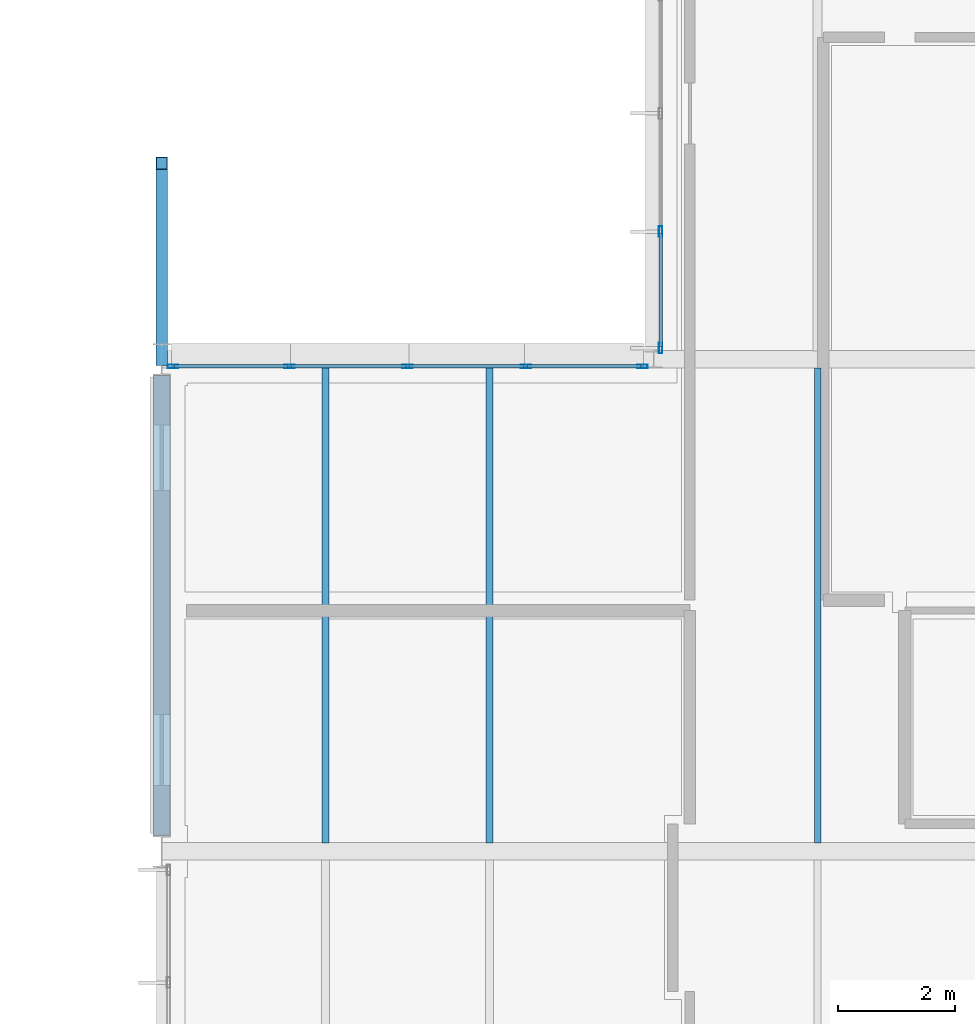
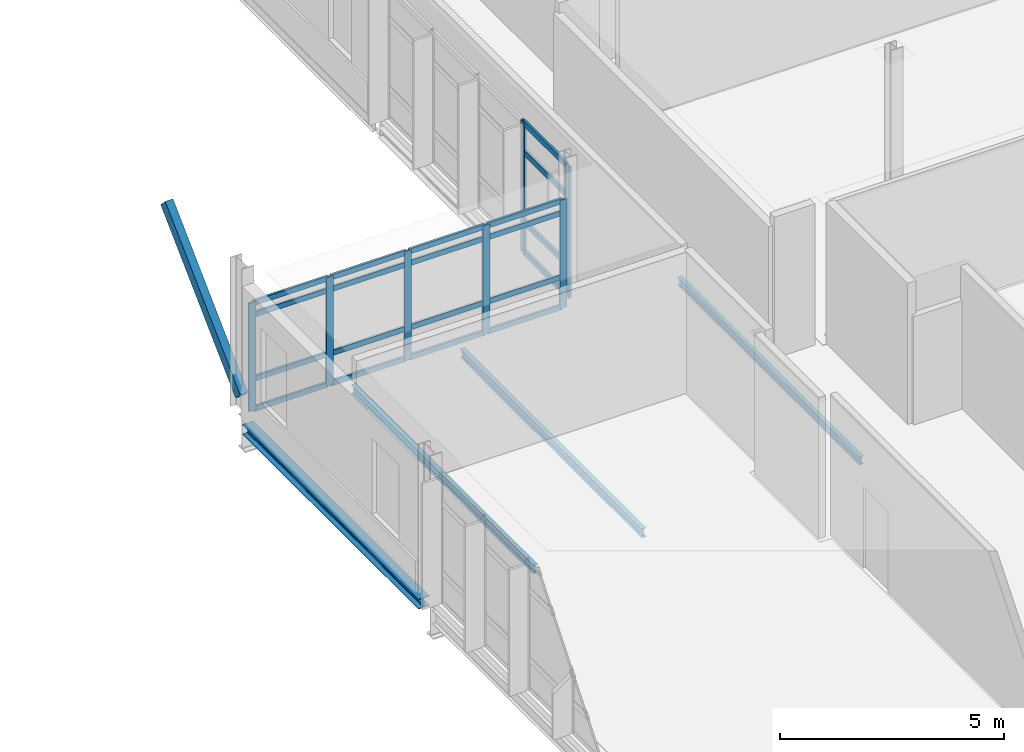
# One storey, part 31 of 103: 28 members, 4 beams, 2 elements without a shape of their own.
"""IFC4 building model written with IfcOpenShell, lengths in metres."""

from ifc_helpers import new_model, si_unit, direction, frame, origin, origin_2d, place, context, subcontext, project, spatial, hollow_rectangle, i_section, extrude, material, material_profile, profile_set, type_object, element, aggregate, save


model = new_model("IFC4")

# Units and contexts
model_context = context("Model", 3, precision=1e-05, world=origin(), true_north=direction((0.0, 1.0)))
body_context = subcontext(model_context, "Body", "Model", "MODEL_VIEW")
ifc_project = project(units=[si_unit("LENGTHUNIT", "METRE"), si_unit("AREAUNIT", "SQUARE_METRE"), si_unit("VOLUMEUNIT", "CUBIC_METRE"), si_unit("PLANEANGLEUNIT", "RADIAN"), si_unit("MASSUNIT", "GRAM", prefix="KILO")], contexts=[model_context])

# Site, building, storey
site_placement = place(None, origin())
site = spatial("IfcSite", under=ifc_project, at=site_placement, CompositionType="ELEMENT")
building_placement = place(site_placement, origin())
building = spatial("IfcBuilding", under=site, at=building_placement, Name="Mersafa Astral City Hall", CompositionType="ELEMENT")
storey_placement = place(building_placement, frame((0.0, 0.0, 18.0)))
storey = spatial("IfcBuildingStorey", under=building, at=storey_placement, Name="L04", CompositionType="ELEMENT", Elevation=18.0)

# Curtain wall, members
ifc_material_1 = material(Name="Anodised bronze aluminium framing", Category="aluminium")
curtain_wall_type_1 = type_object("IfcCurtainWallType", Name="ENV-CW-5", PredefinedType="USERDEFINED", material=ifc_material_1)
curtain_wall_1_placement = place(storey_placement, origin())
curtain_wall_1 = element("IfcCurtainWall", 1, at=curtain_wall_1_placement, inside=storey, type_object=curtain_wall_type_1, Name="L04 Unitised solar curtain wall 208", ObjectType="UNITISED CURTAIN WALL", PredefinedType="USERDEFINED")
ifc_material_profile_1 = material_profile(ifc_material_1, hollow_rectangle(XDim=0.06005859375, YDim=0.179931640625, WallThickness=0.00390625, at=origin_2d()), Name="RHS 60x180x4")
ifc_profile_set_1 = profile_set([ifc_material_profile_1], Name="Anodised bronze aluminium framing")
member_type_1 = type_object("IfcMemberType", Name="ENV-CW-MUL-1", PredefinedType="MULLION", material=ifc_profile_set_1)
member_1_placement = place(storey_placement, frame((100.919921875, 94.5810546875, -0.001953125), z_axis=(0.0, 0.0, 1.0), x_axis=(1.0, 0.0, 0.0)))
member_1 = element("IfcMember", 2, at=member_1_placement, type_object=member_type_1, Name="CW-5 mullion 4", PredefinedType="MULLION", context=body_context, shape_type="SweptSolid", body=[
    extrude(hollow_rectangle(XDim=0.06005859375, YDim=0.179931640625, WallThickness=0.00390625, at=origin_2d()), origin(), (0.0, 0.0, 1.0), 3.578857421875),
])
member_2_placement = place(storey_placement, frame((100.919921875, 92.592041015625, -0.001953125), z_axis=(0.0, 0.0, 1.0), x_axis=(1.0, 0.0, 0.0)))
member_2 = element("IfcMember", 3, at=member_2_placement, type_object=member_type_1, Name="CW-5 mullion 5", PredefinedType="MULLION", context=body_context, shape_type="SweptSolid", body=[
    extrude(hollow_rectangle(XDim=0.06005859375, YDim=0.179931640625, WallThickness=0.00390625, at=origin_2d()), origin(), (0.0, 0.0, 1.0), 3.578857421875),
])

curtain_wall_type_2 = type_object("IfcCurtainWallType", Name="ENV-CW-6", PredefinedType="USERDEFINED", material=ifc_material_1)
curtain_wall_2_placement = place(storey_placement, origin())
curtain_wall_2 = element("IfcCurtainWall", 4, at=curtain_wall_2_placement, inside=storey, type_object=curtain_wall_type_2, Name="L04 Unitised solar curtain wall 209", ObjectType="UNITISED CURTAIN WALL", PredefinedType="USERDEFINED")
member_3_placement = place(storey_placement, frame((100.60791015625, 92.280029296875, -0.001953125), z_axis=(0.0, 0.0, 1.0), x_axis=(0.0, -1.0, 0.0)))
member_3 = element("IfcMember", 5, at=member_3_placement, type_object=member_type_1, Name="CW-6 mullion 1", PredefinedType="MULLION", context=body_context, shape_type="SweptSolid", body=[
    extrude(hollow_rectangle(XDim=0.06005859375, YDim=0.179931640625, WallThickness=0.00390625, at=origin_2d()), origin(), (0.0, 0.0, 1.0), 2.948974609375),
])
member_4_placement = place(storey_placement, frame((98.618896484375, 92.280029296875, -0.001953125), z_axis=(0.0, 0.0, 1.0), x_axis=(0.0, -1.0, 0.0)))
member_4 = element("IfcMember", 6, at=member_4_placement, type_object=member_type_1, Name="CW-6 mullion 2", PredefinedType="MULLION", context=body_context, shape_type="SweptSolid", body=[
    extrude(hollow_rectangle(XDim=0.06005859375, YDim=0.179931640625, WallThickness=0.00390625, at=origin_2d()), origin(), (0.0, 0.0, 1.0), 2.948974609375),
])
member_5_placement = place(storey_placement, frame((96.60009765625, 92.280029296875, -0.001953125), z_axis=(0.0, 0.0, 1.0), x_axis=(0.0, -1.0, 0.0)))
member_5 = element("IfcMember", 7, at=member_5_placement, type_object=member_type_1, Name="CW-6 mullion 3", PredefinedType="MULLION", context=body_context, shape_type="SweptSolid", body=[
    extrude(hollow_rectangle(XDim=0.06005859375, YDim=0.179931640625, WallThickness=0.00390625, at=origin_2d()), origin(), (0.0, 0.0, 1.0), 2.948974609375),
])
member_6_placement = place(storey_placement, frame((94.5810546875, 92.280029296875, -0.001953125), z_axis=(0.0, 0.0, 1.0), x_axis=(0.0, -1.0, 0.0)))
member_6 = element("IfcMember", 8, at=member_6_placement, type_object=member_type_1, Name="CW-6 mullion 4", PredefinedType="MULLION", context=body_context, shape_type="SweptSolid", body=[
    extrude(hollow_rectangle(XDim=0.06005859375, YDim=0.179931640625, WallThickness=0.00390625, at=origin_2d()), origin(), (0.0, 0.0, 1.0), 2.948974609375),
])
member_7_placement = place(storey_placement, frame((92.592041015625, 92.280029296875, -0.001953125), z_axis=(0.0, 0.0, 1.0), x_axis=(0.0, -1.0, 0.0)))
member_7 = element("IfcMember", 9, at=member_7_placement, type_object=member_type_1, Name="CW-6 mullion 5", PredefinedType="MULLION", context=body_context, shape_type="SweptSolid", body=[
    extrude(hollow_rectangle(XDim=0.06005859375, YDim=0.179931640625, WallThickness=0.00390625, at=origin_2d()), origin(), (0.0, 0.0, 1.0), 2.948974609375),
])
ifc_material_profile_2 = material_profile(ifc_material_1, hollow_rectangle(XDim=0.06005859375, YDim=0.139892578125, WallThickness=0.00390625, at=origin_2d()), Name="RHS 60x140x4")
ifc_profile_set_2 = profile_set([ifc_material_profile_2], Name="Anodised bronze aluminium framing")
member_type_2 = type_object("IfcMemberType", Name="ENV-CW-TRN-1", PredefinedType="USERDEFINED", material=ifc_profile_set_2)
member_8_placement = place(storey_placement, frame((100.577880859375, 92.280029296875, 0.028076171875), z_axis=(-1.0, 0.0, 0.0), x_axis=(0.0, -1.0, 0.0)))
member_8 = element("IfcMember", 10, at=member_8_placement, type_object=member_type_2, Name="CW-6 transom 1.1", ObjectType="TRANSOM", PredefinedType="USERDEFINED", context=body_context, shape_type="SweptSolid", body=[
    extrude(hollow_rectangle(XDim=0.06005859375, YDim=0.139892578125, WallThickness=0.00390625, at=origin_2d()), origin(), (0.0, 0.0, 1.0), 1.928955078125),
])
member_9_placement = place(storey_placement, frame((100.577880859375, 92.280029296875, 0.85009765625), z_axis=(-1.0, 0.0, 0.0), x_axis=(0.0, -1.0, 0.0)))
member_9 = element("IfcMember", 11, at=member_9_placement, type_object=member_type_2, Name="CW-6 transom 1.2", ObjectType="TRANSOM", PredefinedType="USERDEFINED", context=body_context, shape_type="SweptSolid", body=[
    extrude(hollow_rectangle(XDim=0.06005859375, YDim=0.139892578125, WallThickness=0.00390625, at=origin_2d()), origin(), (0.0, 0.0, 1.0), 1.928955078125),
])
member_10_placement = place(storey_placement, frame((100.577880859375, 92.280029296875, 2.596923828125), z_axis=(-1.0, 0.0, 0.0), x_axis=(0.0, -1.0, 0.0)))
member_10 = element("IfcMember", 12, at=member_10_placement, type_object=member_type_2, Name="CW-6 transom 1.3", ObjectType="TRANSOM", PredefinedType="USERDEFINED", context=body_context, shape_type="SweptSolid", body=[
    extrude(hollow_rectangle(XDim=0.06005859375, YDim=0.139892578125, WallThickness=0.00390625, at=origin_2d()), origin(), (0.0, 0.0, 1.0), 1.928955078125),
])
member_11_placement = place(storey_placement, frame((100.577880859375, 92.280029296875, 2.9169921875), z_axis=(-1.0, 0.0, 0.0), x_axis=(0.0, -1.0, 0.0)))
member_11 = element("IfcMember", 13, at=member_11_placement, type_object=member_type_2, Name="CW-6 transom 1.4", ObjectType="TRANSOM", PredefinedType="USERDEFINED", context=body_context, shape_type="SweptSolid", body=[
    extrude(hollow_rectangle(XDim=0.06005859375, YDim=0.139892578125, WallThickness=0.00390625, at=origin_2d()), origin(), (0.0, 0.0, 1.0), 1.928955078125),
])
member_12_placement = place(storey_placement, frame((98.589111328125, 92.280029296875, 0.028076171875), z_axis=(-1.0, 0.0, 0.0), x_axis=(0.0, -1.0, 0.0)))
member_12 = element("IfcMember", 14, at=member_12_placement, type_object=member_type_2, Name="CW-6 transom 2.1", ObjectType="TRANSOM", PredefinedType="USERDEFINED", context=body_context, shape_type="SweptSolid", body=[
    extrude(hollow_rectangle(XDim=0.06005859375, YDim=0.139892578125, WallThickness=0.00390625, at=origin_2d()), origin(), (0.0, 0.0, 1.0), 1.959228515625),
])
member_13_placement = place(storey_placement, frame((98.589111328125, 92.280029296875, 0.85009765625), z_axis=(-1.0, 0.0, 0.0), x_axis=(0.0, -1.0, 0.0)))
member_13 = element("IfcMember", 15, at=member_13_placement, type_object=member_type_2, Name="CW-6 transom 2.2", ObjectType="TRANSOM", PredefinedType="USERDEFINED", context=body_context, shape_type="SweptSolid", body=[
    extrude(hollow_rectangle(XDim=0.06005859375, YDim=0.139892578125, WallThickness=0.00390625, at=origin_2d()), origin(), (0.0, 0.0, 1.0), 1.959228515625),
])
member_14_placement = place(storey_placement, frame((98.589111328125, 92.280029296875, 2.596923828125), z_axis=(-1.0, 0.0, 0.0), x_axis=(0.0, -1.0, 0.0)))
member_14 = element("IfcMember", 16, at=member_14_placement, type_object=member_type_2, Name="CW-6 transom 2.3", ObjectType="TRANSOM", PredefinedType="USERDEFINED", context=body_context, shape_type="SweptSolid", body=[
    extrude(hollow_rectangle(XDim=0.06005859375, YDim=0.139892578125, WallThickness=0.00390625, at=origin_2d()), origin(), (0.0, 0.0, 1.0), 1.959228515625),
])
member_15_placement = place(storey_placement, frame((98.589111328125, 92.280029296875, 2.9169921875), z_axis=(-1.0, 0.0, 0.0), x_axis=(0.0, -1.0, 0.0)))
member_15 = element("IfcMember", 17, at=member_15_placement, type_object=member_type_2, Name="CW-6 transom 2.4", ObjectType="TRANSOM", PredefinedType="USERDEFINED", context=body_context, shape_type="SweptSolid", body=[
    extrude(hollow_rectangle(XDim=0.06005859375, YDim=0.139892578125, WallThickness=0.00390625, at=origin_2d()), origin(), (0.0, 0.0, 1.0), 1.959228515625),
])
member_16_placement = place(storey_placement, frame((96.570068359375, 92.280029296875, 0.028076171875), z_axis=(-1.0, 0.0, 0.0), x_axis=(0.0, -1.0, 0.0)))
member_16 = element("IfcMember", 18, at=member_16_placement, type_object=member_type_2, Name="CW-6 transom 3.1", ObjectType="TRANSOM", PredefinedType="USERDEFINED", context=body_context, shape_type="SweptSolid", body=[
    extrude(hollow_rectangle(XDim=0.06005859375, YDim=0.139892578125, WallThickness=0.00390625, at=origin_2d()), origin(), (0.0, 0.0, 1.0), 1.958984375),
])
member_17_placement = place(storey_placement, frame((96.570068359375, 92.280029296875, 0.85009765625), z_axis=(-1.0, 0.0, 0.0), x_axis=(0.0, -1.0, 0.0)))
member_17 = element("IfcMember", 19, at=member_17_placement, type_object=member_type_2, Name="CW-6 transom 3.2", ObjectType="TRANSOM", PredefinedType="USERDEFINED", context=body_context, shape_type="SweptSolid", body=[
    extrude(hollow_rectangle(XDim=0.06005859375, YDim=0.139892578125, WallThickness=0.00390625, at=origin_2d()), origin(), (0.0, 0.0, 1.0), 1.958984375),
])
member_18_placement = place(storey_placement, frame((96.570068359375, 92.280029296875, 2.596923828125), z_axis=(-1.0, 0.0, 0.0), x_axis=(0.0, -1.0, 0.0)))
member_18 = element("IfcMember", 20, at=member_18_placement, type_object=member_type_2, Name="CW-6 transom 3.3", ObjectType="TRANSOM", PredefinedType="USERDEFINED", context=body_context, shape_type="SweptSolid", body=[
    extrude(hollow_rectangle(XDim=0.06005859375, YDim=0.139892578125, WallThickness=0.00390625, at=origin_2d()), origin(), (0.0, 0.0, 1.0), 1.958984375),
])
member_19_placement = place(storey_placement, frame((96.570068359375, 92.280029296875, 2.9169921875), z_axis=(-1.0, 0.0, 0.0), x_axis=(0.0, -1.0, 0.0)))
member_19 = element("IfcMember", 21, at=member_19_placement, type_object=member_type_2, Name="CW-6 transom 3.4", ObjectType="TRANSOM", PredefinedType="USERDEFINED", context=body_context, shape_type="SweptSolid", body=[
    extrude(hollow_rectangle(XDim=0.06005859375, YDim=0.139892578125, WallThickness=0.00390625, at=origin_2d()), origin(), (0.0, 0.0, 1.0), 1.958984375),
])
member_20_placement = place(storey_placement, frame((94.551025390625, 92.280029296875, 0.028076171875), z_axis=(-1.0, 0.0, 0.0), x_axis=(0.0, -1.0, 0.0)))
member_20 = element("IfcMember", 22, at=member_20_placement, type_object=member_type_2, Name="CW-6 transom 4.1", ObjectType="TRANSOM", PredefinedType="USERDEFINED", context=body_context, shape_type="SweptSolid", body=[
    extrude(hollow_rectangle(XDim=0.06005859375, YDim=0.139892578125, WallThickness=0.00390625, at=origin_2d()), origin(), (0.0, 0.0, 1.0), 1.928955078125),
])
member_21_placement = place(storey_placement, frame((94.551025390625, 92.280029296875, 0.85009765625), z_axis=(-1.0, 0.0, 0.0), x_axis=(0.0, -1.0, 0.0)))
member_21 = element("IfcMember", 23, at=member_21_placement, type_object=member_type_2, Name="CW-6 transom 4.2", ObjectType="TRANSOM", PredefinedType="USERDEFINED", context=body_context, shape_type="SweptSolid", body=[
    extrude(hollow_rectangle(XDim=0.06005859375, YDim=0.139892578125, WallThickness=0.00390625, at=origin_2d()), origin(), (0.0, 0.0, 1.0), 1.928955078125),
])
member_22_placement = place(storey_placement, frame((94.551025390625, 92.280029296875, 2.596923828125), z_axis=(-1.0, 0.0, 0.0), x_axis=(0.0, -1.0, 0.0)))
member_22 = element("IfcMember", 24, at=member_22_placement, type_object=member_type_2, Name="CW-6 transom 4.3", ObjectType="TRANSOM", PredefinedType="USERDEFINED", context=body_context, shape_type="SweptSolid", body=[
    extrude(hollow_rectangle(XDim=0.06005859375, YDim=0.139892578125, WallThickness=0.00390625, at=origin_2d()), origin(), (0.0, 0.0, 1.0), 1.928955078125),
])
member_23_placement = place(storey_placement, frame((94.551025390625, 92.280029296875, 2.9169921875), z_axis=(-1.0, 0.0, 0.0), x_axis=(0.0, -1.0, 0.0)))
member_23 = element("IfcMember", 25, at=member_23_placement, type_object=member_type_2, Name="CW-6 transom 4.4", ObjectType="TRANSOM", PredefinedType="USERDEFINED", context=body_context, shape_type="SweptSolid", body=[
    extrude(hollow_rectangle(XDim=0.06005859375, YDim=0.139892578125, WallThickness=0.00390625, at=origin_2d()), origin(), (0.0, 0.0, 1.0), 1.928955078125),
])
aggregate(curtain_wall_2, [member_3, member_4, member_5, member_6, member_7, member_8, member_9, member_10, member_11, member_12, member_13, member_14, member_15, member_16, member_17, member_18, member_19, member_20, member_21, member_22, member_23])

# Member
ifc_material_profile_3 = material_profile(ifc_material_1, hollow_rectangle(XDim=0.06005859375, YDim=0.159912109375, WallThickness=0.00390625, at=origin_2d()), Name="RHS 60x160x4")
ifc_profile_set_3 = profile_set([ifc_material_profile_3], Name="Anodised bronze aluminium framing")
member_type_3 = type_object("IfcMemberType", Name="ENV-CW-TRN-2", PredefinedType="USERDEFINED", material=ifc_profile_set_3)
member_24_placement = place(storey_placement, frame((100.919921875, 94.551025390625, 0.028076171875), z_axis=(0.0, -1.0, 0.0), x_axis=(1.0, 0.0, 0.0)))
member_24 = element("IfcMember", 26, at=member_24_placement, type_object=member_type_3, Name="CW-5 transom 4.1", ObjectType="TRANSOM", PredefinedType="USERDEFINED", context=body_context, shape_type="SweptSolid", body=[
    extrude(hollow_rectangle(XDim=0.06005859375, YDim=0.159912109375, WallThickness=0.00390625, at=origin_2d()), origin(), (0.0, 0.0, 1.0), 1.928955078125),
])

member_25_placement = place(storey_placement, frame((100.919921875, 94.551025390625, 0.85009765625), z_axis=(0.0, -1.0, 0.0), x_axis=(1.0, 0.0, 0.0)))
member_25 = element("IfcMember", 27, at=member_25_placement, type_object=member_type_3, Name="CW-5 transom 4.2", ObjectType="TRANSOM", PredefinedType="USERDEFINED", context=body_context, shape_type="SweptSolid", body=[
    extrude(hollow_rectangle(XDim=0.06005859375, YDim=0.159912109375, WallThickness=0.00390625, at=origin_2d()), origin(), (0.0, 0.0, 1.0), 1.928955078125),
])

member_26_placement = place(storey_placement, frame((100.919921875, 94.551025390625, 2.75), z_axis=(0.0, -1.0, 0.0), x_axis=(1.0, 0.0, 0.0)))
member_26 = element("IfcMember", 28, at=member_26_placement, type_object=member_type_3, Name="CW-5 transom 4.3", ObjectType="TRANSOM", PredefinedType="USERDEFINED", context=body_context, shape_type="SweptSolid", body=[
    extrude(hollow_rectangle(XDim=0.06005859375, YDim=0.159912109375, WallThickness=0.00390625, at=origin_2d()), origin(), (0.0, 0.0, 1.0), 1.928955078125),
])

member_27_placement = place(storey_placement, frame((100.919921875, 94.551025390625, 3.547119140625), z_axis=(0.0, -1.0, 0.0), x_axis=(1.0, 0.0, 0.0)))
member_27 = element("IfcMember", 29, at=member_27_placement, type_object=member_type_3, Name="CW-5 transom 4.4", ObjectType="TRANSOM", PredefinedType="USERDEFINED", context=body_context, shape_type="SweptSolid", body=[
    extrude(hollow_rectangle(XDim=0.06005859375, YDim=0.159912109375, WallThickness=0.00390625, at=origin_2d()), origin(), (0.0, 0.0, 1.0), 1.928955078125),
])

aggregate(curtain_wall_1, [member_1, member_2, member_24, member_25, member_26, member_27])

# Beams
ifc_material_2 = material(Name="Steel S355", Category="steel")
ifc_material_profile_4 = material_profile(ifc_material_2, i_section(OverallWidth=0.110107421875, OverallDepth=0.219970703125, WebThickness=0.005859375, FlangeThickness=0.00927734375, FilletRadius=0.011962890625, at=origin_2d()), Name="IPE 220")
ifc_profile_set_4 = profile_set([ifc_material_profile_4], Name="Steel S355")
beam_type_1 = type_object("IfcBeamType", Name="STR-BM-JOIST-IPE220", PredefinedType="JOIST", material=ifc_profile_set_4)
beam_1_placement = place(storey_placement, frame((103.60009765625, 84.14501953125, -0.294921875), z_axis=(0.0, 1.0, 0.0), x_axis=(-1.0, 0.0, 0.0)))
element("IfcBeam", 30, at=beam_1_placement, inside=storey, type_object=beam_type_1, Name="L04 Composite secondary floor joist 722", PredefinedType="JOIST", context=body_context, shape_type="SweptSolid", body=[
    extrude(i_section(OverallWidth=0.110107421875, OverallDepth=0.219970703125, WebThickness=0.005859375, FlangeThickness=0.00927734375, FilletRadius=0.011962890625, at=origin_2d()), origin(), (0.0, 0.0, 1.0), 8.10986328125),
])
ifc_material_profile_5 = material_profile(ifc_material_2, i_section(OverallWidth=0.1201171875, OverallDepth=0.239990234375, WebThickness=0.006103515625, FlangeThickness=0.009765625, FilletRadius=0.014892578125, at=origin_2d()), Name="IPE 240")
ifc_profile_set_5 = profile_set([ifc_material_profile_5], Name="Steel S355")
beam_type_2 = type_object("IfcBeamType", Name="STR-BM-JOIST-IPE240", PredefinedType="JOIST", material=ifc_profile_set_5)
for number, where, z_axis, x_axis, name in (
    (31, (95.199951171875, 84.14501953125, -0.304931640625), (0.0, 1.0, 0.0), (-1.0, 0.0, 0.0), "L04 Composite secondary floor joist 714"),
    (32, (98.0, 84.14501953125, -0.304931640625), (0.0, 1.0, 0.0), (-1.0, 0.0, 0.0), "L04 Composite secondary floor joist 715"),
):
    element("IfcBeam", number, at=place(storey_placement, frame(where, z_axis=z_axis, x_axis=x_axis)), inside=storey, type_object=beam_type_2, Name=name, PredefinedType="JOIST", context=body_context, shape_type="SweptSolid", body=[
        extrude(i_section(OverallWidth=0.1201171875, OverallDepth=0.239990234375, WebThickness=0.006103515625, FlangeThickness=0.009765625, FilletRadius=0.014892578125, at=origin_2d()), origin(), (0.0, 0.0, 1.0), 8.10986328125),
    ])
ifc_material_profile_6 = material_profile(ifc_material_2, i_section(OverallWidth=0.280029296875, OverallDepth=0.27001953125, WebThickness=0.008056640625, FlangeThickness=0.012939453125, FilletRadius=0.02392578125, at=origin_2d()), Name="HEA 280")
ifc_profile_set_6 = profile_set([ifc_material_profile_6], Name="Steel S355")
beam_type_3 = type_object("IfcBeamType", Name="STR-BM-SPANDREL-HEA280", PredefinedType="SPANDREL", material=ifc_profile_set_6)
beam_2_placement = place(storey_placement, frame((92.39990234375, 84.27001953125, -0.320068359375), z_axis=(0.0, 1.0, 0.0), x_axis=(-1.0, 0.0, 0.0)))
element("IfcBeam", 33, at=beam_2_placement, inside=storey, type_object=beam_type_3, Name="L04 Primary girder Y 11-10", PredefinedType="SPANDREL", context=body_context, shape_type="SweptSolid", body=[
    extrude(i_section(OverallWidth=0.280029296875, OverallDepth=0.27001953125, WebThickness=0.008056640625, FlangeThickness=0.012939453125, FilletRadius=0.02392578125, at=origin_2d()), origin(), (0.0, 0.0, 1.0), 7.85986328125),
])

# Member
ifc_material_profile_7 = material_profile(ifc_material_2, hollow_rectangle(XDim=0.199951171875, YDim=0.300048828125, WallThickness=0.012451171875, at=origin_2d()), Name="RHS 200x300x12.5")
ifc_profile_set_7 = profile_set([ifc_material_profile_7], Name="Steel S355")
member_type_4 = type_object("IfcMemberType", Name="STR-MBR-STRUT-RHS200X300", PredefinedType="BRACE", material=ifc_profile_set_7)
member_28_placement = place(storey_placement, frame((92.39990234375, 92.39990234375, 0.39990234375), z_axis=(0.0, 0.718820820879, 0.695195387982), x_axis=(-1.0, 0.0, 0.0)))
element("IfcMember", 34, at=member_28_placement, inside=storey, type_object=member_type_4, Name="L04 Raked cosmic eave strut ROOF-T4-V2 N-11", PredefinedType="BRACE", context=body_context, shape_type="SweptSolid", body=[
    extrude(hollow_rectangle(XDim=0.199951171875, YDim=0.300048828125, WallThickness=0.012451171875, at=origin_2d()), origin(), (0.0, 0.0, 1.0), 4.66064453125),
])

save(model, "model.ifc")
